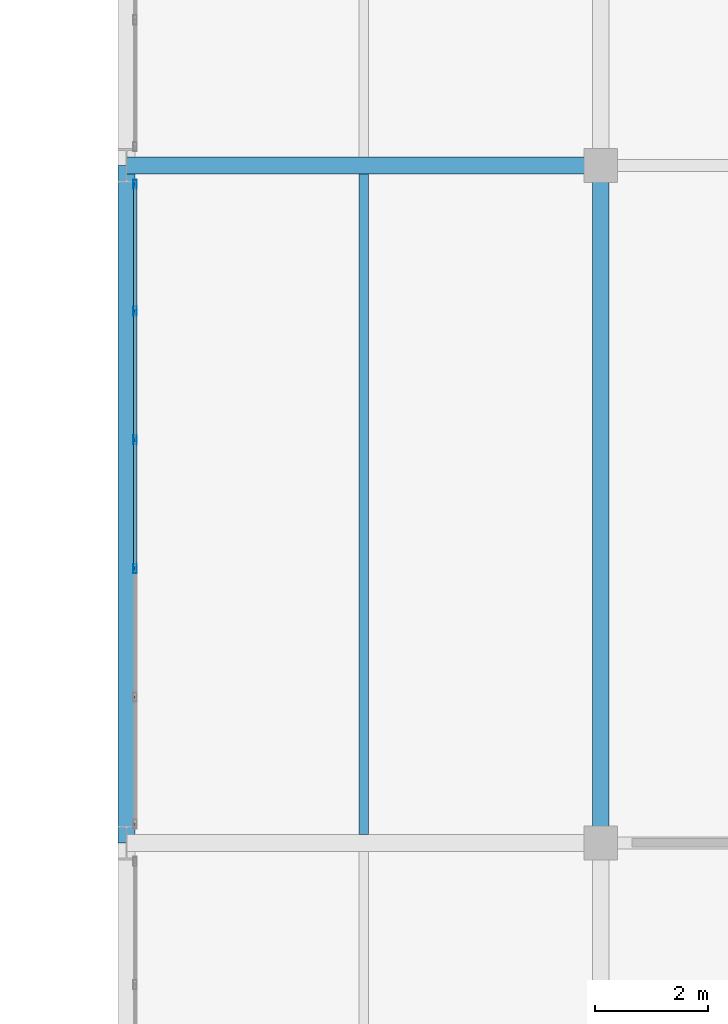
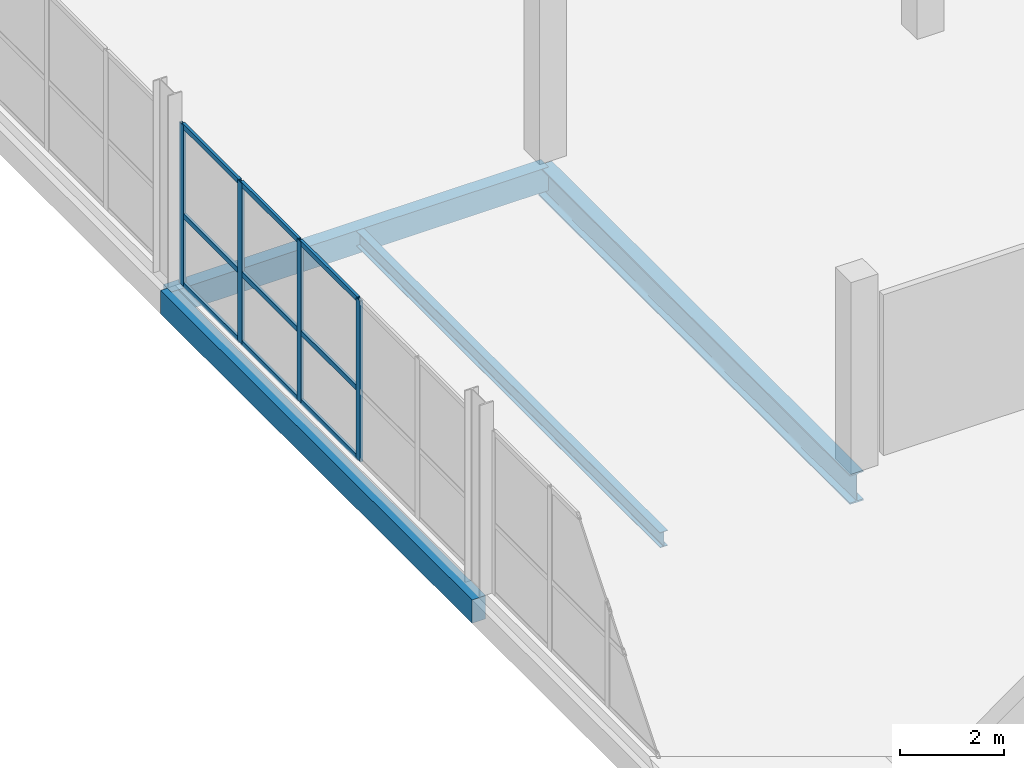
# One storey, part 92 of 130: 13 members, 4 beams, 1 element without a shape of its own.
"""IFC4 building model written with IfcOpenShell, lengths in metres."""

from ifc_helpers import new_model, si_unit, direction, frame, origin, origin_2d, place, context, subcontext, project, spatial, rectangle, hollow_rectangle, i_section, extrude, material, material_profile, profile_set, type_object, element, aggregate, save


model = new_model("IFC4")

# Units and contexts
model_context = context("Model", 3, precision=1e-05, world=origin(), true_north=direction((0.0, 1.0)))
body_context = subcontext(model_context, "Body", "Model", "MODEL_VIEW")
ifc_project = project(units=[si_unit("LENGTHUNIT", "METRE"), si_unit("AREAUNIT", "SQUARE_METRE"), si_unit("VOLUMEUNIT", "CUBIC_METRE"), si_unit("PLANEANGLEUNIT", "RADIAN"), si_unit("MASSUNIT", "GRAM", prefix="KILO")], contexts=[model_context])

# Site, building, storey
site_placement = place(None, origin())
site = spatial("IfcSite", under=ifc_project, at=site_placement, CompositionType="ELEMENT")
building_placement = place(site_placement, origin())
building = spatial("IfcBuilding", under=site, at=building_placement, Name="Veltarok Museum of Natural Sciences", CompositionType="ELEMENT")
storey_placement = place(building_placement, frame((0.0, 0.0, 12.89990234375)))
storey = spatial("IfcBuildingStorey", under=building, at=storey_placement, Name="L02", CompositionType="ELEMENT", Elevation=12.89990234375)

# Curtain wall, members
ifc_material_1 = material(Name="Low-iron triple insulated glass", Category="glass")
curtain_wall_type = type_object("IfcCurtainWallType", Name="Curtain Wall System CW-V5CW-L02-2-1140x378 (CW-V5CW L02 1140x378cm)", PredefinedType="NOTDEFINED", material=ifc_material_1)
curtain_wall_placement = place(storey_placement, origin())
curtain_wall = element("IfcCurtainWall", 1, at=curtain_wall_placement, inside=storey, type_object=curtain_wall_type, Name="Curtain Wall CW-V5CW-L02-2-1140x378 CW-0178", PredefinedType="NOTDEFINED")
ifc_material_2 = material(Name="Thermally broken anodised aluminium", Category="aluminium")
ifc_material_profile_1 = material_profile(ifc_material_2, hollow_rectangle(XDim=0.06005859375, YDim=0.1201171875, WallThickness=0.0048828125, at=origin_2d()), Name="CW TRANSOM 60x120x5")
ifc_profile_set_1 = profile_set([ifc_material_profile_1], Name="Thermally broken anodised aluminium")
member_type_1 = type_object("IfcMemberType", Name="Curtain Wall Horizontal Transom 60x120x5", PredefinedType="USERDEFINED", material=ifc_profile_set_1)
member_1_placement = place(storey_placement, frame((132.550048828125, 52.889892578125, 0.028076171875), z_axis=(0.0, 1.0, 0.0), x_axis=(-1.0, 0.0, 0.0)))
member_1 = element("IfcMember", 2, at=member_1_placement, type_object=member_type_1, Name="CW-V5CW-L02-2-1140x378 transom 3.1", ObjectType="TRANSOM", PredefinedType="USERDEFINED", context=body_context, shape_type="SweptSolid", body=[
    extrude(hollow_rectangle(XDim=0.06005859375, YDim=0.1201171875, WallThickness=0.0048828125, at=origin_2d()), origin(), (0.0, 0.0, 1.0), 2.22021484375),
])
member_2_placement = place(storey_placement, frame((132.550048828125, 52.889892578125, 1.648193359375), z_axis=(0.0, 1.0, 0.0), x_axis=(-1.0, 0.0, 0.0)))
member_2 = element("IfcMember", 3, at=member_2_placement, type_object=member_type_1, Name="CW-V5CW-L02-2-1140x378 transom 3.2", ObjectType="TRANSOM", PredefinedType="USERDEFINED", context=body_context, shape_type="SweptSolid", body=[
    extrude(hollow_rectangle(XDim=0.06005859375, YDim=0.1201171875, WallThickness=0.0048828125, at=origin_2d()), origin(), (0.0, 0.0, 1.0), 2.22021484375),
])
member_3_placement = place(storey_placement, frame((132.550048828125, 52.889892578125, 3.75), z_axis=(0.0, 1.0, 0.0), x_axis=(-1.0, 0.0, 0.0)))
member_3 = element("IfcMember", 4, at=member_3_placement, type_object=member_type_1, Name="CW-V5CW-L02-2-1140x378 transom 3.3", ObjectType="TRANSOM", PredefinedType="USERDEFINED", context=body_context, shape_type="SweptSolid", body=[
    extrude(hollow_rectangle(XDim=0.06005859375, YDim=0.1201171875, WallThickness=0.0048828125, at=origin_2d()), origin(), (0.0, 0.0, 1.0), 2.22021484375),
])
member_4_placement = place(storey_placement, frame((132.550048828125, 55.169921875, 0.028076171875), z_axis=(0.0, 1.0, 0.0), x_axis=(-1.0, 0.0, 0.0)))
member_4 = element("IfcMember", 5, at=member_4_placement, type_object=member_type_1, Name="CW-V5CW-L02-2-1140x378 transom 4.1", ObjectType="TRANSOM", PredefinedType="USERDEFINED", context=body_context, shape_type="SweptSolid", body=[
    extrude(hollow_rectangle(XDim=0.06005859375, YDim=0.1201171875, WallThickness=0.0048828125, at=origin_2d()), origin(), (0.0, 0.0, 1.0), 2.219970703125),
])
member_5_placement = place(storey_placement, frame((132.550048828125, 55.169921875, 1.648193359375), z_axis=(0.0, 1.0, 0.0), x_axis=(-1.0, 0.0, 0.0)))
member_5 = element("IfcMember", 6, at=member_5_placement, type_object=member_type_1, Name="CW-V5CW-L02-2-1140x378 transom 4.2", ObjectType="TRANSOM", PredefinedType="USERDEFINED", context=body_context, shape_type="SweptSolid", body=[
    extrude(hollow_rectangle(XDim=0.06005859375, YDim=0.1201171875, WallThickness=0.0048828125, at=origin_2d()), origin(), (0.0, 0.0, 1.0), 2.219970703125),
])
member_6_placement = place(storey_placement, frame((132.550048828125, 55.169921875, 3.75), z_axis=(0.0, 1.0, 0.0), x_axis=(-1.0, 0.0, 0.0)))
member_6 = element("IfcMember", 7, at=member_6_placement, type_object=member_type_1, Name="CW-V5CW-L02-2-1140x378 transom 4.3", ObjectType="TRANSOM", PredefinedType="USERDEFINED", context=body_context, shape_type="SweptSolid", body=[
    extrude(hollow_rectangle(XDim=0.06005859375, YDim=0.1201171875, WallThickness=0.0048828125, at=origin_2d()), origin(), (0.0, 0.0, 1.0), 2.219970703125),
])
member_7_placement = place(storey_placement, frame((132.550048828125, 57.449951171875, 0.028076171875), z_axis=(0.0, 1.0, 0.0), x_axis=(-1.0, 0.0, 0.0)))
member_7 = element("IfcMember", 8, at=member_7_placement, type_object=member_type_1, Name="CW-V5CW-L02-2-1140x378 transom 5.1", ObjectType="TRANSOM", PredefinedType="USERDEFINED", context=body_context, shape_type="SweptSolid", body=[
    extrude(hollow_rectangle(XDim=0.06005859375, YDim=0.1201171875, WallThickness=0.0048828125, at=origin_2d()), origin(), (0.0, 0.0, 1.0), 2.18994140625),
])
member_8_placement = place(storey_placement, frame((132.550048828125, 57.449951171875, 1.648193359375), z_axis=(0.0, 1.0, 0.0), x_axis=(-1.0, 0.0, 0.0)))
member_8 = element("IfcMember", 9, at=member_8_placement, type_object=member_type_1, Name="CW-V5CW-L02-2-1140x378 transom 5.2", ObjectType="TRANSOM", PredefinedType="USERDEFINED", context=body_context, shape_type="SweptSolid", body=[
    extrude(hollow_rectangle(XDim=0.06005859375, YDim=0.1201171875, WallThickness=0.0048828125, at=origin_2d()), origin(), (0.0, 0.0, 1.0), 2.18994140625),
])
member_9_placement = place(storey_placement, frame((132.550048828125, 57.449951171875, 3.75), z_axis=(0.0, 1.0, 0.0), x_axis=(-1.0, 0.0, 0.0)))
member_9 = element("IfcMember", 10, at=member_9_placement, type_object=member_type_1, Name="CW-V5CW-L02-2-1140x378 transom 5.3", ObjectType="TRANSOM", PredefinedType="USERDEFINED", context=body_context, shape_type="SweptSolid", body=[
    extrude(hollow_rectangle(XDim=0.06005859375, YDim=0.1201171875, WallThickness=0.0048828125, at=origin_2d()), origin(), (0.0, 0.0, 1.0), 2.18994140625),
])
ifc_material_profile_2 = material_profile(ifc_material_2, hollow_rectangle(XDim=0.06005859375, YDim=0.159912109375, WallThickness=0.0048828125, at=origin_2d()), Name="CW MULLION 60x160x5")
ifc_profile_set_2 = profile_set([ifc_material_profile_2], Name="Thermally broken anodised aluminium")
member_type_2 = type_object("IfcMemberType", Name="Curtain Wall Vertical Mullion 60x160x5", PredefinedType="MULLION", material=ifc_profile_set_2)
member_10_placement = place(storey_placement, frame((132.550048828125, 52.860107421875, -0.001953125), z_axis=(0.0, 0.0, 1.0), x_axis=(-1.0, 0.0, 0.0)))
member_10 = element("IfcMember", 11, at=member_10_placement, type_object=member_type_2, Name="CW-V5CW-L02-2-1140x378 mullion 3", PredefinedType="MULLION", context=body_context, shape_type="SweptSolid", body=[
    extrude(hollow_rectangle(XDim=0.06005859375, YDim=0.159912109375, WallThickness=0.0048828125, at=origin_2d()), origin(), (0.0, 0.0, 1.0), 3.781982421875),
])
member_11_placement = place(storey_placement, frame((132.550048828125, 55.139892578125, -0.001953125), z_axis=(0.0, 0.0, 1.0), x_axis=(-1.0, 0.0, 0.0)))
member_11 = element("IfcMember", 12, at=member_11_placement, type_object=member_type_2, Name="CW-V5CW-L02-2-1140x378 mullion 4", PredefinedType="MULLION", context=body_context, shape_type="SweptSolid", body=[
    extrude(hollow_rectangle(XDim=0.06005859375, YDim=0.159912109375, WallThickness=0.0048828125, at=origin_2d()), origin(), (0.0, 0.0, 1.0), 3.781982421875),
])
member_12_placement = place(storey_placement, frame((132.550048828125, 57.419921875, -0.001953125), z_axis=(0.0, 0.0, 1.0), x_axis=(-1.0, 0.0, 0.0)))
member_12 = element("IfcMember", 13, at=member_12_placement, type_object=member_type_2, Name="CW-V5CW-L02-2-1140x378 mullion 5", PredefinedType="MULLION", context=body_context, shape_type="SweptSolid", body=[
    extrude(hollow_rectangle(XDim=0.06005859375, YDim=0.159912109375, WallThickness=0.0048828125, at=origin_2d()), origin(), (0.0, 0.0, 1.0), 3.781982421875),
])
member_13_placement = place(storey_placement, frame((132.550048828125, 59.669921875, -0.001953125), z_axis=(0.0, 0.0, 1.0), x_axis=(-1.0, 0.0, 0.0)))
member_13 = element("IfcMember", 14, at=member_13_placement, type_object=member_type_2, Name="CW-V5CW-L02-2-1140x378 mullion 6", PredefinedType="MULLION", context=body_context, shape_type="SweptSolid", body=[
    extrude(hollow_rectangle(XDim=0.06005859375, YDim=0.159912109375, WallThickness=0.0048828125, at=origin_2d()), origin(), (0.0, 0.0, 1.0), 3.781982421875),
])
aggregate(curtain_wall, [member_10, member_11, member_12, member_13, member_1, member_2, member_3, member_4, member_5, member_6, member_7, member_8, member_9])

# Beams
ifc_material_3 = material(Name="Precast concrete C40/50", Category="concrete")
ifc_material_profile_3 = material_profile(ifc_material_3, rectangle(XDim=0.300048828125, YDim=0.550048828125, at=origin_2d()), Name="RC 300x550")
ifc_profile_set_3 = profile_set([ifc_material_profile_3], Name="Precast concrete C40/50")
beam_type_1 = type_object("IfcBeamType", Name="East Wing Precast Spandrel RC 300x550", PredefinedType="SPANDREL", material=ifc_profile_set_3)
beam_1_placement = place(storey_placement, frame((132.39990234375, 60.0, -0.52490234375), z_axis=(1.0, 0.0, 0.0), x_axis=(0.0, 1.0, 0.0)))
element("IfcBeam", 15, at=beam_1_placement, inside=storey, type_object=beam_type_1, Name="Beam BM-SP02 L02 16-17/G", PredefinedType="SPANDREL", context=body_context, shape_type="SweptSolid", body=[
    extrude(rectangle(XDim=0.300048828125, YDim=0.550048828125, at=origin_2d()), origin(), (0.0, 0.0, 1.0), 8.400146484375),
])
beam_2_placement = place(storey_placement, frame((132.39990234375, 48.0, -0.52490234375), z_axis=(0.0, 1.0, 0.0), x_axis=(-1.0, 0.0, 0.0)))
element("IfcBeam", 16, at=beam_2_placement, inside=storey, type_object=beam_type_1, Name="Beam BM-SP02 L02 16/F-G", PredefinedType="SPANDREL", context=body_context, shape_type="SweptSolid", body=[
    extrude(rectangle(XDim=0.300048828125, YDim=0.550048828125, at=origin_2d()), origin(), (0.0, 0.0, 1.0), 12.0),
])
ifc_material_4 = material(Name="Steel S355J2", Category="steel")
ifc_material_profile_4 = material_profile(ifc_material_4, i_section(OverallWidth=0.169921875, OverallDepth=0.360107421875, WebThickness=0.008056640625, FlangeThickness=0.0126953125, FilletRadius=0.01806640625, at=origin_2d()), Name="IPE 360")
ifc_profile_set_4 = profile_set([ifc_material_profile_4], Name="Steel S355J2")
beam_type_2 = type_object("IfcBeamType", Name="Long-Bay Composite Joist IPE 360", PredefinedType="JOIST", material=ifc_profile_set_4)
beam_3_placement = place(storey_placement, frame((136.60009765625, 48.14794921875, -0.429931640625), z_axis=(0.0, 1.0, 0.0), x_axis=(-1.0, 0.0, 0.0)))
element("IfcBeam", 17, at=beam_3_placement, inside=storey, type_object=beam_type_2, Name="Secondary Joist BM-J01 L02 16-17/F-G.1", PredefinedType="JOIST", context=body_context, shape_type="SweptSolid", body=[
    extrude(i_section(OverallWidth=0.169921875, OverallDepth=0.360107421875, WebThickness=0.008056640625, FlangeThickness=0.0126953125, FilletRadius=0.01806640625, at=origin_2d()), origin(), (0.0, 0.0, 1.0), 11.7041015625),
])
ifc_material_profile_5 = material_profile(ifc_material_4, i_section(OverallWidth=0.300048828125, OverallDepth=0.699951171875, WebThickness=0.01708984375, FlangeThickness=0.031982421875, FilletRadius=0.027099609375, at=origin_2d()), Name="HEB 700")
ifc_profile_set_5 = profile_set([ifc_material_profile_5], Name="Steel S355J2")
beam_type_3 = type_object("IfcBeamType", Name="Long-Span Hall Girder HEB 700", PredefinedType="BEAM", material=ifc_profile_set_5)
beam_4_placement = place(storey_placement, frame((140.800048828125, 48.0, -0.599853515625), z_axis=(0.0, 1.0, 0.0), x_axis=(-1.0, 0.0, 0.0)))
element("IfcBeam", 18, at=beam_4_placement, inside=storey, type_object=beam_type_3, Name="Beam BM-G01 L02 17/F-G", PredefinedType="BEAM", context=body_context, shape_type="SweptSolid", body=[
    extrude(i_section(OverallWidth=0.300048828125, OverallDepth=0.699951171875, WebThickness=0.01708984375, FlangeThickness=0.031982421875, FilletRadius=0.027099609375, at=origin_2d()), origin(), (0.0, 0.0, 1.0), 12.0),
])

save(model, "model.ifc")
